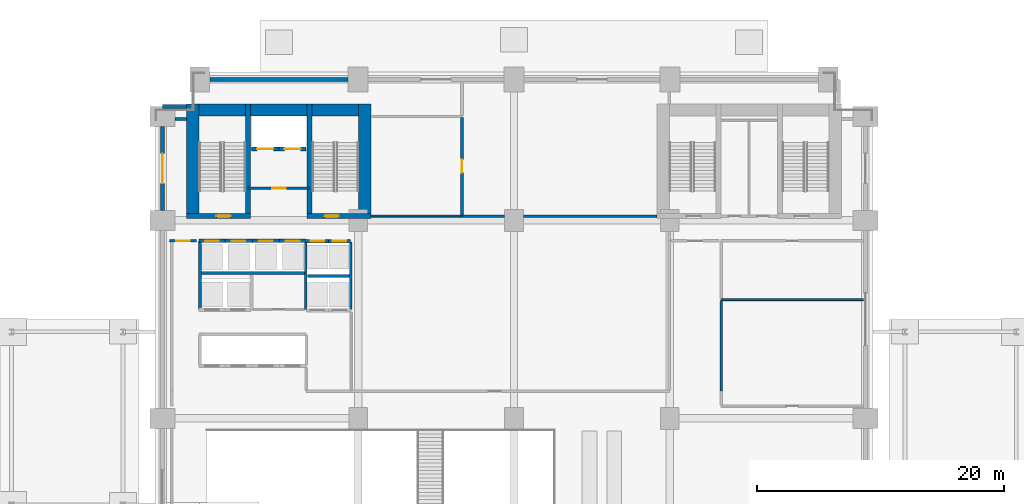
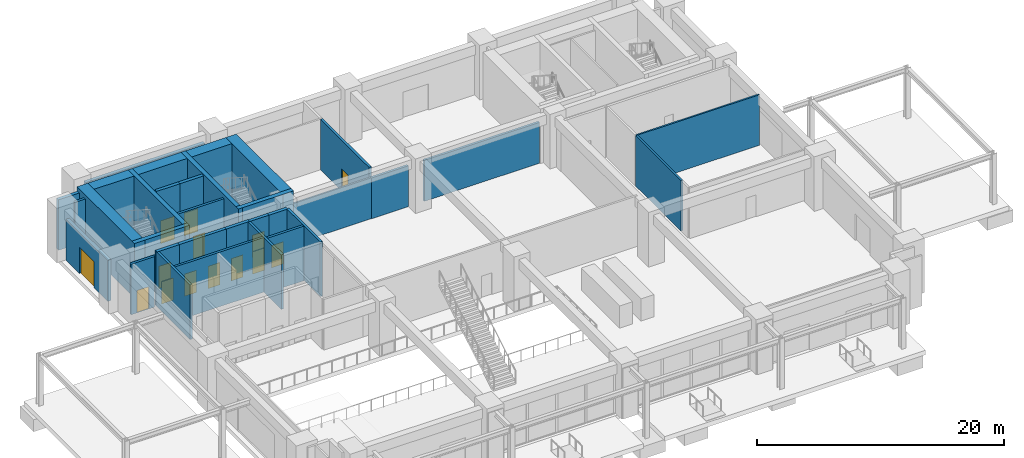
# One storey, part 6 of 14: 32 walls, 14 doors, 14 openings.
"""IFC4 building model written with IfcOpenShell, lengths in metres."""

from ifc_helpers import new_model, si_unit, direction, frame, frame_2d, origin, place, context, subcontext, project, spatial, rectangle, extrude, material, layer, layer_set, type_object, element, fill, save


model = new_model("IFC4")

# Units and contexts
model_context = context("Model", 3, precision=1e-05, world=origin(), true_north=direction((0.0, 1.0)))
body_context = subcontext(model_context, "Body", "Model", "MODEL_VIEW")
ifc_project = project(units=[si_unit("LENGTHUNIT", "METRE"), si_unit("AREAUNIT", "SQUARE_METRE"), si_unit("VOLUMEUNIT", "CUBIC_METRE"), si_unit("PLANEANGLEUNIT", "RADIAN"), si_unit("MASSUNIT", "GRAM", prefix="KILO")], contexts=[model_context])

# Site, building, storey
site_placement = place(None, origin())
site = spatial("IfcSite", under=ifc_project, at=site_placement, CompositionType="ELEMENT")
building_placement = place(site_placement, origin())
building = spatial("IfcBuilding", under=site, at=building_placement, Name="Sulina Concourse Tower", CompositionType="ELEMENT")
storey_placement = place(building_placement, origin())
storey = spatial("IfcBuildingStorey", under=building, at=storey_placement, Name="L00", CompositionType="ELEMENT", Elevation=0.0)

# Walls
ifc_material_1 = material(Name="Concrete C50/60", Category="concrete")
ifc_layer_1 = layer(ifc_material_1, 0.219970703125)
ifc_layer_set_1 = layer_set([ifc_layer_1], Name="Concrete C50/60")
wall_type_1 = type_object("IfcWallType", Name="Core Lift Hoistway Divider Wall 220mm", PredefinedType="SOLIDWALL", material=ifc_layer_set_1)
wall_1_placement = place(storey_placement, frame((3.550048828125, 29.75, 0.0), z_axis=(0.0, 0.0, 1.0), x_axis=(1.0, 0.0, 0.0)))
element("IfcWall", 1, at=wall_1_placement, inside=storey, type_object=wall_type_1, Name="L00 shaft divider wall HW-LP3-S", PredefinedType="SOLIDWALL", context=body_context, shape_type="SweptSolid", body=[
    extrude(rectangle(XDim=8.64990234375, YDim=0.219970703125, at=frame_2d((4.324951171875, 0.0))), origin(), (0.0, 0.0, 1.0), 5.39990234375),
])
wall_2_placement = place(storey_placement, frame((3.6298828125, 26.800048828125, 0.0), z_axis=(0.0, 0.0, 1.0), x_axis=(0.0, 1.0, 0.0)))
element("IfcWall", 2, at=wall_2_placement, inside=storey, type_object=wall_type_1, Name="L00 shaft divider wall HW-LP3-W", PredefinedType="SOLIDWALL", context=body_context, shape_type="SweptSolid", body=[
    extrude(rectangle(XDim=5.550048828125, YDim=0.219970703125, at=frame_2d((2.77490234375, 0.0))), origin(), (0.0, 0.0, 1.0), 5.39990234375),
])
for number, where, z_axis, x_axis, name in (
    (3, (12.179931640625, 26.800048828125, 0.0), (0.0, 0.0, 1.0), (0.0, 1.0, 0.0), "L00 shaft divider wall HW-LP2-W"),
    (4, (15.820068359375, 26.800048828125, 0.0), (0.0, 0.0, 1.0), (0.0, 1.0, 0.0), "L00 shaft divider wall HW-LP2-E"),
):
    element("IfcWall", number, at=place(storey_placement, frame(where, z_axis=z_axis, x_axis=x_axis)), inside=storey, type_object=wall_type_1, Name=name, PredefinedType="SOLIDWALL", context=body_context, shape_type="SweptSolid", body=[
        extrude(rectangle(XDim=5.449951171875, YDim=0.219970703125, at=frame_2d((2.72509765625, 0.0))), origin(), (0.0, 0.0, 1.0), 5.39990234375),
    ])
wall_3_placement = place(storey_placement, frame((12.300048828125, 29.52001953125, 0.0), z_axis=(0.0, 0.0, 1.0), x_axis=(1.0, 0.0, 0.0)))
element("IfcWall", 5, at=wall_3_placement, inside=storey, type_object=wall_type_1, Name="L00 shaft divider wall HW-LP2-M", PredefinedType="SOLIDWALL", context=body_context, shape_type="SweptSolid", body=[
    extrude(rectangle(XDim=3.39990234375, YDim=0.219970703125, at=frame_2d((1.699951171875, 0.0))), origin(), (0.0, 0.0, 1.0), 5.39990234375),
])

# Wall, opening, door
ifc_material_2 = material(Name="Concrete C50/60", Category="concrete")
ifc_layer_2 = layer(ifc_material_2, 0.300048828125)
ifc_layer_set_2 = layer_set([ifc_layer_2], Name="Concrete C50/60")
wall_type_2 = type_object("IfcWallType", Name="Core Lift Hoistway Wall 300mm", PredefinedType="SOLIDWALL", material=ifc_layer_set_2)
wall_4_placement = place(storey_placement, frame((12.219970703125, 32.320068359375, 0.0), z_axis=(0.0, 0.0, 1.0), x_axis=(1.0, 0.0, 0.0)))
wall_4 = element("IfcWall", 6, at=wall_4_placement, inside=storey, type_object=wall_type_2, Name="L00 hoistway enclosure wall LP-07", PredefinedType="SOLIDWALL", context=body_context, shape_type="SweptSolid", body=[
    extrude(rectangle(XDim=1.780029296875, YDim=0.300048828125, at=frame_2d((0.89013671875, 0.0))), origin(), (0.0, 0.0, 1.0), 5.39990234375),
])
opening_1_placement = place(wall_4_placement, frame((0.340087890625, 0.0, 0.0)))
opening_1 = element("IfcOpeningElement", 7, at=opening_1_placement, cuts=wall_4, Name="Opening LD-01", PredefinedType="OPENING", context=body_context, shape_type="SweptSolid", body=[
    extrude(rectangle(XDim=1.10009765625, YDim=2.199951171875, at=frame_2d((0.550048828125, 1.10009765625))), frame((0.0, 0.159912109375, 0.0), z_axis=(0.0, -1.0, 0.0), x_axis=(1.0, 0.0, 0.0)), (0.0, 0.0, 1.0), 0.320068359375),
])
ifc_material_3 = material(Name="Stainless steel lift landing door", Category="steel")
ifc_layer_3 = layer(ifc_material_3, 0.050048828125)
ifc_layer_set_3 = layer_set([ifc_layer_3], Name="Stainless steel lift landing door")
door_type_1 = type_object("IfcDoorType", Name="Passenger Lift Sliding Landing Door 1100x2200", OperationType="SLIDING_TO_LEFT", PredefinedType="DOOR", material=ifc_layer_set_3)
door_1_placement = place(opening_1_placement, origin())
door_1 = element("IfcDoor", 8, at=door_1_placement, inside=storey, type_object=door_type_1, Name="L00 lift landing sliding door LP-07", OperationType="SLIDING_TO_LEFT", OverallHeight=2.199951171875, OverallWidth=1.10009765625, PredefinedType="DOOR", context=body_context, shape_type="SweptSolid", body=[
    extrude(rectangle(XDim=1.10009765625, YDim=2.199951171875, at=frame_2d((0.550048828125, 1.10009765625))), frame((0.0, 0.02490234375, 0.0), z_axis=(0.0, -1.0, 0.0), x_axis=(1.0, 0.0, 0.0)), (0.0, 0.0, 1.0), 0.050048828125),
])
fill(opening_1, door_1)

wall_5_placement = place(storey_placement, frame((14.0, 32.320068359375, 0.0), z_axis=(0.0, 0.0, 1.0), x_axis=(1.0, 0.0, 0.0)))
wall_5 = element("IfcWall", 9, at=wall_5_placement, inside=storey, type_object=wall_type_2, Name="L00 hoistway enclosure wall LP-08", PredefinedType="SOLIDWALL", context=body_context, shape_type="SweptSolid", body=[
    extrude(rectangle(XDim=1.780029296875, YDim=0.300048828125, at=frame_2d((0.89013671875, 0.0))), origin(), (0.0, 0.0, 1.0), 5.39990234375),
])
opening_2_placement = place(wall_5_placement, frame((0.340087890625, 0.0, 0.0)))
opening_2 = element("IfcOpeningElement", 10, at=opening_2_placement, cuts=wall_5, Name="Opening LD-01", PredefinedType="OPENING", context=body_context, shape_type="SweptSolid", body=[
    extrude(rectangle(XDim=1.10009765625, YDim=2.199951171875, at=frame_2d((0.550048828125, 1.10009765625))), frame((0.0, 0.159912109375, 0.0), z_axis=(0.0, -1.0, 0.0), x_axis=(1.0, 0.0, 0.0)), (0.0, 0.0, 1.0), 0.320068359375),
])
door_2_placement = place(opening_2_placement, origin())
door_2 = element("IfcDoor", 11, at=door_2_placement, inside=storey, type_object=door_type_1, Name="L00 lift landing sliding door LP-08", OperationType="SLIDING_TO_RIGHT", OverallHeight=2.199951171875, OverallWidth=1.10009765625, PredefinedType="DOOR", context=body_context, shape_type="SweptSolid", body=[
    extrude(rectangle(XDim=1.10009765625, YDim=2.199951171875, at=frame_2d((0.550048828125, 1.10009765625))), frame((0.0, 0.02490234375, 0.0), z_axis=(0.0, -1.0, 0.0), x_axis=(1.0, 0.0, 0.0)), (0.0, 0.0, 1.0), 0.050048828125),
])
fill(opening_2, door_2)

wall_6_placement = place(storey_placement, frame((3.550048828125, 32.35009765625, 0.0), z_axis=(0.0, 0.0, 1.0), x_axis=(1.0, 0.0, 0.0)))
wall_6 = element("IfcWall", 12, at=wall_6_placement, inside=storey, type_object=wall_type_2, Name="L00 hoistway enclosure wall LP-09", PredefinedType="SOLIDWALL", context=body_context, shape_type="SweptSolid", body=[
    extrude(rectangle(XDim=2.099853515625, YDim=0.300048828125, at=frame_2d((1.0498046875, 0.0))), origin(), (0.0, 0.0, 1.0), 5.39990234375),
])
opening_3_placement = place(wall_6_placement, frame((0.5, 0.0, 0.0)))
opening_3 = element("IfcOpeningElement", 13, at=opening_3_placement, cuts=wall_6, Name="Opening LD-01", PredefinedType="OPENING", context=body_context, shape_type="SweptSolid", body=[
    extrude(rectangle(XDim=1.10009765625, YDim=2.199951171875, at=frame_2d((0.550048828125, 1.10009765625))), frame((0.0, 0.159912109375, 0.0), z_axis=(0.0, -1.0, 0.0), x_axis=(1.0, 0.0, 0.0)), (0.0, 0.0, 1.0), 0.320068359375),
])
door_3_placement = place(opening_3_placement, origin())
door_3 = element("IfcDoor", 14, at=door_3_placement, inside=storey, type_object=door_type_1, Name="L00 lift landing sliding door LP-09", OperationType="SLIDING_TO_LEFT", OverallHeight=2.199951171875, OverallWidth=1.10009765625, PredefinedType="DOOR", context=body_context, shape_type="SweptSolid", body=[
    extrude(rectangle(XDim=1.10009765625, YDim=2.199951171875, at=frame_2d((0.550048828125, 1.10009765625))), frame((0.0, 0.02490234375, 0.0), z_axis=(0.0, -1.0, 0.0), x_axis=(1.0, 0.0, 0.0)), (0.0, 0.0, 1.0), 0.050048828125),
])
fill(opening_3, door_3)

wall_7_placement = place(storey_placement, frame((5.64990234375, 32.35009765625, 0.0), z_axis=(0.0, 0.0, 1.0), x_axis=(1.0, 0.0, 0.0)))
wall_7 = element("IfcWall", 15, at=wall_7_placement, inside=storey, type_object=wall_type_2, Name="L00 hoistway enclosure wall LP-10", PredefinedType="SOLIDWALL", context=body_context, shape_type="SweptSolid", body=[
    extrude(rectangle(XDim=2.2001953125, YDim=0.300048828125, at=frame_2d((1.10009765625, 0.0))), origin(), (0.0, 0.0, 1.0), 5.39990234375),
])
opening_4_placement = place(wall_7_placement, frame((0.550048828125, 0.0, 0.0)))
opening_4 = element("IfcOpeningElement", 16, at=opening_4_placement, cuts=wall_7, Name="Opening LD-01", PredefinedType="OPENING", context=body_context, shape_type="SweptSolid", body=[
    extrude(rectangle(XDim=1.10009765625, YDim=2.199951171875, at=frame_2d((0.550048828125, 1.10009765625))), frame((0.0, 0.159912109375, 0.0), z_axis=(0.0, -1.0, 0.0), x_axis=(1.0, 0.0, 0.0)), (0.0, 0.0, 1.0), 0.320068359375),
])
door_4_placement = place(opening_4_placement, origin())
door_4 = element("IfcDoor", 17, at=door_4_placement, inside=storey, type_object=door_type_1, Name="L00 lift landing sliding door LP-10", OperationType="SLIDING_TO_RIGHT", OverallHeight=2.199951171875, OverallWidth=1.10009765625, PredefinedType="DOOR", context=body_context, shape_type="SweptSolid", body=[
    extrude(rectangle(XDim=1.10009765625, YDim=2.199951171875, at=frame_2d((0.550048828125, 1.10009765625))), frame((0.0, 0.02490234375, 0.0), z_axis=(0.0, -1.0, 0.0), x_axis=(1.0, 0.0, 0.0)), (0.0, 0.0, 1.0), 0.050048828125),
])
fill(opening_4, door_4)

wall_8_placement = place(storey_placement, frame((7.85009765625, 32.35009765625, 0.0), z_axis=(0.0, 0.0, 1.0), x_axis=(1.0, 0.0, 0.0)))
wall_8 = element("IfcWall", 18, at=wall_8_placement, inside=storey, type_object=wall_type_2, Name="L00 hoistway enclosure wall LP-11", PredefinedType="SOLIDWALL", context=body_context, shape_type="SweptSolid", body=[
    extrude(rectangle(XDim=2.199951171875, YDim=0.300048828125, at=frame_2d((1.10009765625, 0.0))), origin(), (0.0, 0.0, 1.0), 5.39990234375),
])
opening_5_placement = place(wall_8_placement, frame((0.550048828125, 0.0, 0.0)))
opening_5 = element("IfcOpeningElement", 19, at=opening_5_placement, cuts=wall_8, Name="Opening LD-01", PredefinedType="OPENING", context=body_context, shape_type="SweptSolid", body=[
    extrude(rectangle(XDim=1.10009765625, YDim=2.199951171875, at=frame_2d((0.550048828125, 1.10009765625))), frame((0.0, 0.159912109375, 0.0), z_axis=(0.0, -1.0, 0.0), x_axis=(1.0, 0.0, 0.0)), (0.0, 0.0, 1.0), 0.320068359375),
])
door_5_placement = place(opening_5_placement, origin())
door_5 = element("IfcDoor", 20, at=door_5_placement, inside=storey, type_object=door_type_1, Name="L00 lift landing sliding door LP-11", OperationType="SLIDING_TO_LEFT", OverallHeight=2.199951171875, OverallWidth=1.10009765625, PredefinedType="DOOR", context=body_context, shape_type="SweptSolid", body=[
    extrude(rectangle(XDim=1.10009765625, YDim=2.199951171875, at=frame_2d((0.550048828125, 1.10009765625))), frame((0.0, 0.02490234375, 0.0), z_axis=(0.0, -1.0, 0.0), x_axis=(1.0, 0.0, 0.0)), (0.0, 0.0, 1.0), 0.050048828125),
])
fill(opening_5, door_5)

wall_9_placement = place(storey_placement, frame((10.050048828125, 32.35009765625, 0.0), z_axis=(0.0, 0.0, 1.0), x_axis=(1.0, 0.0, 0.0)))
wall_9 = element("IfcWall", 21, at=wall_9_placement, inside=storey, type_object=wall_type_2, Name="L00 hoistway enclosure wall LP-12", PredefinedType="SOLIDWALL", context=body_context, shape_type="SweptSolid", body=[
    extrude(rectangle(XDim=2.14990234375, YDim=0.300048828125, at=frame_2d((1.074951171875, 0.0))), origin(), (0.0, 0.0, 1.0), 5.39990234375),
])
opening_6_placement = place(wall_9_placement, frame((0.52490234375, 0.0, 0.0)))
opening_6 = element("IfcOpeningElement", 22, at=opening_6_placement, cuts=wall_9, Name="Opening LD-01", PredefinedType="OPENING", context=body_context, shape_type="SweptSolid", body=[
    extrude(rectangle(XDim=1.10009765625, YDim=2.199951171875, at=frame_2d((0.550048828125, 1.10009765625))), frame((0.0, 0.159912109375, 0.0), z_axis=(0.0, -1.0, 0.0), x_axis=(1.0, 0.0, 0.0)), (0.0, 0.0, 1.0), 0.320068359375),
])
door_6_placement = place(opening_6_placement, origin())
door_6 = element("IfcDoor", 23, at=door_6_placement, inside=storey, type_object=door_type_1, Name="L00 lift landing sliding door LP-12", OperationType="SLIDING_TO_RIGHT", OverallHeight=2.199951171875, OverallWidth=1.10009765625, PredefinedType="DOOR", context=body_context, shape_type="SweptSolid", body=[
    extrude(rectangle(XDim=1.10009765625, YDim=2.199951171875, at=frame_2d((0.550048828125, 1.10009765625))), frame((0.0, 0.02490234375, 0.0), z_axis=(0.0, -1.0, 0.0), x_axis=(1.0, 0.0, 0.0)), (0.0, 0.0, 1.0), 0.050048828125),
])
fill(opening_6, door_6)

wall_10_placement = place(storey_placement, frame((10.0, 39.780029296875, 0.0), z_axis=(0.0, 0.0, 1.0), x_axis=(-1.0, 0.0, 0.0)))
wall_10 = element("IfcWall", 24, at=wall_10_placement, inside=storey, type_object=wall_type_2, Name="L00 hoistway enclosure wall FFL-1", PredefinedType="SOLIDWALL", context=body_context, shape_type="SweptSolid", body=[
    extrude(rectangle(XDim=2.199951171875, YDim=0.300048828125, at=frame_2d((1.10009765625, 0.0))), origin(), (0.0, 0.0, 1.0), 5.39990234375),
])
opening_7_placement = place(wall_10_placement, frame((0.449951171875, 0.0, 0.0)))
opening_7 = element("IfcOpeningElement", 25, at=opening_7_placement, cuts=wall_10, Name="Opening LD-02", PredefinedType="OPENING", context=body_context, shape_type="SweptSolid", body=[
    extrude(rectangle(XDim=1.300048828125, YDim=2.25, at=frame_2d((0.64990234375, 1.125))), frame((0.0, 0.159912109375, 0.0), z_axis=(0.0, -1.0, 0.0), x_axis=(1.0, 0.0, 0.0)), (0.0, 0.0, 1.0), 0.320068359375),
])
ifc_material_4 = material(Name="Stainless steel lift landing door", Category="steel")
ifc_layer_4 = layer(ifc_material_4, 0.050048828125)
ifc_layer_set_4 = layer_set([ifc_layer_4], Name="Stainless steel lift landing door")
door_type_2 = type_object("IfcDoorType", Name="Firefighting Lift Sliding Landing Door 1300x2250", OperationType="SLIDING_TO_RIGHT", PredefinedType="DOOR", material=ifc_layer_set_4)
door_7_placement = place(opening_7_placement, origin())
door_7 = element("IfcDoor", 26, at=door_7_placement, inside=storey, type_object=door_type_2, Name="L00 lift landing sliding door FFL-1", OperationType="SLIDING_TO_LEFT", OverallHeight=2.25, OverallWidth=1.300048828125, PredefinedType="DOOR", context=body_context, shape_type="SweptSolid", body=[
    extrude(rectangle(XDim=1.300048828125, YDim=2.25, at=frame_2d((0.64990234375, 1.125))), frame((0.0, 0.02490234375, 0.0), z_axis=(0.0, -1.0, 0.0), x_axis=(1.0, 0.0, 0.0)), (0.0, 0.0, 1.0), 0.050048828125),
])
fill(opening_7, door_7)

wall_11_placement = place(storey_placement, frame((12.199951171875, 39.780029296875, 0.0), z_axis=(0.0, 0.0, 1.0), x_axis=(-1.0, 0.0, 0.0)))
wall_11 = element("IfcWall", 27, at=wall_11_placement, inside=storey, type_object=wall_type_2, Name="L00 hoistway enclosure wall FFL-2", PredefinedType="SOLIDWALL", context=body_context, shape_type="SweptSolid", body=[
    extrude(rectangle(XDim=2.199951171875, YDim=0.300048828125, at=frame_2d((1.10009765625, 0.0))), origin(), (0.0, 0.0, 1.0), 5.39990234375),
])
opening_8_placement = place(wall_11_placement, frame((0.449951171875, 0.0, 0.0)))
opening_8 = element("IfcOpeningElement", 28, at=opening_8_placement, cuts=wall_11, Name="Opening LD-02", PredefinedType="OPENING", context=body_context, shape_type="SweptSolid", body=[
    extrude(rectangle(XDim=1.300048828125, YDim=2.25, at=frame_2d((0.64990234375, 1.125))), frame((0.0, 0.159912109375, 0.0), z_axis=(0.0, -1.0, 0.0), x_axis=(1.0, 0.0, 0.0)), (0.0, 0.0, 1.0), 0.320068359375),
])
door_8_placement = place(opening_8_placement, origin())
door_8 = element("IfcDoor", 29, at=door_8_placement, inside=storey, type_object=door_type_2, Name="L00 lift landing sliding door FFL-2", OperationType="SLIDING_TO_RIGHT", OverallHeight=2.25, OverallWidth=1.300048828125, PredefinedType="DOOR", context=body_context, shape_type="SweptSolid", body=[
    extrude(rectangle(XDim=1.300048828125, YDim=2.25, at=frame_2d((0.64990234375, 1.125))), frame((0.0, 0.02490234375, 0.0), z_axis=(0.0, -1.0, 0.0), x_axis=(1.0, 0.0, 0.0)), (0.0, 0.0, 1.0), 0.050048828125),
])
fill(opening_8, door_8)

ifc_material_5 = material(Name="Gypsum board on steel stud", Category="steel")
ifc_layer_5 = layer(ifc_material_5, 0.219970703125)
ifc_layer_set_5 = layer_set([ifc_layer_5], Name="Gypsum board on steel stud")
wall_type_3 = type_object("IfcWallType", Name="Fire-Rated Lobby & Compartment Wall 220mm", PredefinedType="PARTITIONING", material=ifc_layer_set_5)
wall_12_placement = place(storey_placement, frame((1.14990234375, 32.35009765625, 0.0), z_axis=(0.0, 0.0, 1.0), x_axis=(1.0, 0.0, 0.0)))
wall_12 = element("IfcWall", 30, at=wall_12_placement, inside=storey, type_object=wall_type_3, Name="L00 exit passage fire wall EXPW", PredefinedType="PARTITIONING", context=body_context, shape_type="SweptSolid", body=[
    extrude(rectangle(XDim=2.2001953125, YDim=0.219970703125, at=frame_2d((1.10009765625, 0.0))), origin(), (0.0, 0.0, 1.0), 5.0),
])
opening_9_placement = place(wall_12_placement, frame((0.550048828125, 0.0, 0.0)))
opening_9 = element("IfcOpeningElement", 31, at=opening_9_placement, cuts=wall_12, Name="Opening DR-47", PredefinedType="OPENING", context=body_context, shape_type="SweptSolid", body=[
    extrude(rectangle(XDim=1.10009765625, YDim=2.199951171875, at=frame_2d((0.550048828125, 1.10009765625))), frame((0.0, 0.119873046875, 0.0), z_axis=(0.0, -1.0, 0.0), x_axis=(1.0, 0.0, 0.0)), (0.0, 0.0, 1.0), 0.239990234375),
])
ifc_material_6 = material(Name="Galvanised steel acoustic fire leaf", Category="steel")
ifc_layer_6 = layer(ifc_material_6, 0.054931640625)
ifc_layer_set_6 = layer_set([ifc_layer_6], Name="Galvanised steel acoustic fire leaf")
door_type_3 = type_object("IfcDoorType", Name="Firefighting Lobby Fire Door 1100x2200", OperationType="NOTDEFINED", PredefinedType="DOOR", material=ifc_layer_set_6)
door_9_placement = place(opening_9_placement, origin())
door_9 = element("IfcDoor", 32, at=door_9_placement, inside=storey, type_object=door_type_3, Name="L00 exit passage fire door EXPW", OperationType="SINGLE_SWING_LEFT", OverallHeight=2.199951171875, OverallWidth=1.10009765625, PredefinedType="DOOR", context=body_context, shape_type="SweptSolid", body=[
    extrude(rectangle(XDim=1.10009765625, YDim=2.199951171875, at=frame_2d((0.550048828125, 1.10009765625))), frame((0.0, 0.02490234375, 0.0), z_axis=(0.0, -1.0, 0.0), x_axis=(1.0, 0.0, 0.0)), (0.0, 0.0, 1.0), 0.050048828125),
])
fill(opening_9, door_9)

wall_13_placement = place(storey_placement, frame((7.510009765625, 36.60009765625, 0.0), z_axis=(0.0, 0.0, 1.0), x_axis=(1.0, 0.0, 0.0)))
wall_13 = element("IfcWall", 33, at=wall_13_placement, inside=storey, type_object=wall_type_3, Name="L00 firefighting lobby south fire wall", PredefinedType="PARTITIONING", context=body_context, shape_type="SweptSolid", body=[
    extrude(rectangle(XDim=4.97998046875, YDim=0.219970703125, at=frame_2d((2.489990234375, 0.0))), origin(), (0.0, 0.0, 1.0), 5.0),
])
opening_10_placement = place(wall_13_placement, frame((1.93994140625, 0.0, 0.0)))
opening_10 = element("IfcOpeningElement", 34, at=opening_10_placement, cuts=wall_13, Name="Opening DR-47", PredefinedType="OPENING", context=body_context, shape_type="SweptSolid", body=[
    extrude(rectangle(XDim=1.10009765625, YDim=2.199951171875, at=frame_2d((0.550048828125, 1.10009765625))), frame((0.0, 0.119873046875, 0.0), z_axis=(0.0, -1.0, 0.0), x_axis=(1.0, 0.0, 0.0)), (0.0, 0.0, 1.0), 0.239990234375),
])
door_10_placement = place(opening_10_placement, origin())
door_10 = element("IfcDoor", 35, at=door_10_placement, inside=storey, type_object=door_type_3, Name="L00 firefighting lobby fire door", OperationType="SINGLE_SWING_LEFT", OverallHeight=2.199951171875, OverallWidth=1.10009765625, PredefinedType="DOOR", context=body_context, shape_type="SweptSolid", body=[
    extrude(rectangle(XDim=1.10009765625, YDim=2.199951171875, at=frame_2d((0.550048828125, 1.10009765625))), frame((0.0, 0.02490234375, 0.0), z_axis=(0.0, -1.0, 0.0), x_axis=(1.0, 0.0, 0.0)), (0.0, 0.0, 1.0), 0.050048828125),
])
fill(opening_10, door_10)

# Walls
wall_14_placement = place(storey_placement, frame((24.800048828125, 34.35009765625, 0.0), z_axis=(0.0, 0.0, 1.0), x_axis=(1.0, 0.0, 0.0)))
element("IfcWall", 36, at=wall_14_placement, inside=storey, type_object=wall_type_3, Name="L00 interior partition 010", PredefinedType="PARTITIONING", context=body_context, shape_type="SweptSolid", body=[
    extrude(rectangle(XDim=3.449951171875, YDim=0.219970703125, at=frame_2d((1.72509765625, 0.0))), origin(), (0.0, 0.0, 1.0), 4.044921875),
])
wall_15_placement = place(storey_placement, frame((29.75, 34.35009765625, 0.0), z_axis=(0.0, 0.0, 1.0), x_axis=(1.0, 0.0, 0.0)))
element("IfcWall", 37, at=wall_15_placement, inside=storey, type_object=wall_type_3, Name="L00 interior partition 011", PredefinedType="PARTITIONING", context=body_context, shape_type="SweptSolid", body=[
    extrude(rectangle(XDim=10.800048828125, YDim=0.219970703125, at=frame_2d((5.39990234375, 0.0))), origin(), (0.0, 0.0, 1.0), 4.044921875),
])
wall_16_placement = place(storey_placement, frame((1.60009765625, 42.199951171875, 0.0), z_axis=(0.0, 0.0, 1.0), x_axis=(1.0, 0.0, 0.0)))
element("IfcWall", 38, at=wall_16_placement, inside=storey, type_object=wall_type_3, Name="L00 interior partition 014", PredefinedType="PARTITIONING", context=body_context, shape_type="SweptSolid", body=[
    extrude(rectangle(XDim=0.949951171875, YDim=0.219970703125, at=frame_2d((0.47509765625, 0.0))), origin(), (0.0, 0.0, 1.0), 5.0),
])

# Wall, opening, door
wall_17_placement = place(storey_placement, frame((24.800048828125, 34.4599609375, 0.0), z_axis=(0.0, 0.0, 1.0), x_axis=(0.0, 1.0, 0.0)))
wall_17 = element("IfcWall", 39, at=wall_17_placement, inside=storey, type_object=wall_type_3, Name="L00 interior partition 024", PredefinedType="PARTITIONING", context=body_context, shape_type="SweptSolid", body=[
    extrude(rectangle(XDim=7.864990234375, YDim=0.219970703125, at=frame_2d((3.9326171875, 0.0))), origin(), (0.0, 0.0, 1.0), 5.0),
])
opening_11_placement = place(wall_17_placement, frame((3.407470703125, 0.0, 0.0)))
opening_11 = element("IfcOpeningElement", 40, at=opening_11_placement, cuts=wall_17, Name="Opening DR-37", PredefinedType="OPENING", context=body_context, shape_type="SweptSolid", body=[
    extrude(rectangle(XDim=1.050048828125, YDim=2.14990234375, at=frame_2d((0.52490234375, 1.074951171875))), frame((0.0, 0.119873046875, 0.0), z_axis=(0.0, -1.0, 0.0), x_axis=(1.0, 0.0, 0.0)), (0.0, 0.0, 1.0), 0.239990234375),
])
ifc_material_7 = material(Name="Oak-veneered fire door leaf")
ifc_layer_7 = layer(ifc_material_7, 0.050048828125)
ifc_layer_set_7 = layer_set([ifc_layer_7], Name="Oak-veneered fire door leaf")
door_type_4 = type_object("IfcDoorType", Name="Tenant Suite Entrance Fire Door 1050x2150", OperationType="NOTDEFINED", PredefinedType="DOOR", material=ifc_layer_set_7)
door_11_placement = place(opening_11_placement, origin())
door_11 = element("IfcDoor", 41, at=door_11_placement, inside=storey, type_object=door_type_4, Name="L00 interior door L00-FCC", OperationType="SINGLE_SWING_LEFT", OverallHeight=2.14990234375, OverallWidth=1.050048828125, PredefinedType="DOOR", context=body_context, shape_type="SweptSolid", body=[
    extrude(rectangle(XDim=1.050048828125, YDim=2.14990234375, at=frame_2d((0.52490234375, 1.074951171875))), frame((0.0, 0.02490234375, 0.0), z_axis=(0.0, -1.0, 0.0), x_axis=(1.0, 0.0, 0.0)), (0.0, 0.0, 1.0), 0.050048828125),
])
fill(opening_11, door_11)

# Walls
ifc_material_8 = material(Name="Gypsum board on steel stud", Category="steel")
ifc_layer_8 = layer(ifc_material_8, 0.14990234375)
ifc_layer_set_8 = layer_set([ifc_layer_8], Name="Gypsum board on steel stud")
wall_type_4 = type_object("IfcWallType", Name="Inter-Tenancy Acoustic Partition 150mm", PredefinedType="PARTITIONING", material=ifc_layer_set_8)
wall_18_placement = place(storey_placement, frame((45.75, 27.60009765625, 0.0), z_axis=(0.0, 0.0, 1.0), x_axis=(1.0, 0.0, 0.0)))
element("IfcWall", 42, at=wall_18_placement, inside=storey, type_object=wall_type_4, Name="L00 interior partition 007", PredefinedType="PARTITIONING", context=body_context, shape_type="SweptSolid", body=[
    extrude(rectangle(XDim=11.489990234375, YDim=0.14990234375, at=frame_2d((5.7451171875, 0.0))), origin(), (0.0, 0.0, 1.0), 5.0),
])
wall_19_placement = place(storey_placement, frame((17.449951171875, 34.35009765625, 0.0), z_axis=(0.0, 0.0, 1.0), x_axis=(1.0, 0.0, 0.0)))
element("IfcWall", 43, at=wall_19_placement, inside=storey, type_object=wall_type_4, Name="L00 interior partition 009", PredefinedType="PARTITIONING", context=body_context, shape_type="SweptSolid", body=[
    extrude(rectangle(XDim=7.35009765625, YDim=0.14990234375, at=frame_2d((3.675048828125, 0.0))), origin(), (0.0, 0.0, 1.0), 4.044921875),
])

# Wall, opening, door
ifc_material_9 = material(Name="Precast concrete C50/60", Category="concrete")
ifc_layer_9 = layer(ifc_material_9, 0.320068359375)
ifc_layer_set_9 = layer_set([ifc_layer_9], Name="Precast concrete C50/60")
wall_type_5 = type_object("IfcWallType", Name="Lower Precast Masonry-Frame Facade Wall 320mm", PredefinedType="SOLIDWALL", material=ifc_layer_set_9)
wall_20_placement = place(storey_placement, frame((0.60009765625, 34.820068359375, 0.0), z_axis=(0.0, 0.0, 1.0), x_axis=(0.0, 1.0, 0.0)))
wall_20 = element("IfcWall", 44, at=wall_20_placement, inside=storey, type_object=wall_type_5, Name="L00 exterior precast wall W3", PredefinedType="SOLIDWALL", context=body_context, shape_type="SweptSolid", body=[
    extrude(rectangle(XDim=6.760009765625, YDim=0.320068359375, at=frame_2d((3.3798828125, 0.0))), origin(), (0.0, 0.0, 1.0), 4.050048828125),
])
opening_12_placement = place(wall_20_placement, frame((2.179931640625, 0.0, 0.0)))
opening_12 = element("IfcOpeningElement", 45, at=opening_12_placement, cuts=wall_20, Name="Opening DR-71", PredefinedType="OPENING", context=body_context, shape_type="SweptSolid", body=[
    extrude(rectangle(XDim=2.39990234375, YDim=2.60009765625, at=frame_2d((1.199951171875, 1.300048828125))), frame((0.0, 0.169921875, 0.0), z_axis=(0.0, -1.0, 0.0), x_axis=(1.0, 0.0, 0.0)), (0.0, 0.0, 1.0), 0.340087890625),
])
ifc_material_10 = material(Name="Anodised bronze aluminium and glazed leaf", Category="aluminium")
ifc_layer_10 = layer(ifc_material_10, 0.06005859375)
ifc_layer_set_10 = layer_set([ifc_layer_10], Name="Anodised bronze aluminium and glazed leaf")
door_type_5 = type_object("IfcDoorType", Name="Station Concourse Entrance Door 2400x2600", OperationType="DOUBLE_DOOR_SINGLE_SWING", PredefinedType="DOOR", material=ifc_layer_set_10)
door_12_placement = place(opening_12_placement, origin())
door_12 = element("IfcDoor", 46, at=door_12_placement, inside=storey, type_object=door_type_5, Name="L00 exterior door ED-08", OperationType="DOUBLE_DOOR_SINGLE_SWING", OverallHeight=2.60009765625, OverallWidth=2.39990234375, PredefinedType="DOOR", context=body_context, shape_type="SweptSolid", body=[
    extrude(rectangle(XDim=2.39990234375, YDim=2.60009765625, at=frame_2d((1.199951171875, 1.300048828125))), frame((0.0, 0.02490234375, 0.0), z_axis=(0.0, -1.0, 0.0), x_axis=(1.0, 0.0, 0.0)), (0.0, 0.0, 1.0), 0.050048828125),
])
fill(opening_12, door_12)

# Walls
wall_21_placement = place(storey_placement, frame((4.419921875, 45.39990234375, 0.0), z_axis=(0.0, 0.0, 1.0), x_axis=(1.0, 0.0, 0.0)))
element("IfcWall", 47, at=wall_21_placement, inside=storey, type_object=wall_type_5, Name="L00 exterior precast wall N1", PredefinedType="SOLIDWALL", context=body_context, shape_type="SweptSolid", body=[
    extrude(rectangle(XDim=11.16015625, YDim=0.320068359375, at=frame_2d((5.580078125, 0.0))), origin(), (0.0, 0.0, 1.0), 4.050048828125),
])
wall_22_placement = place(storey_placement, frame((0.60009765625, 43.219970703125, 0.0), z_axis=(0.0, 0.0, 1.0), x_axis=(1.0, 0.0, 0.0)))
element("IfcWall", 48, at=wall_22_placement, inside=storey, type_object=wall_type_5, Name="L00 exterior precast wall CNW1", PredefinedType="SOLIDWALL", context=body_context, shape_type="SweptSolid", body=[
    extrude(rectangle(XDim=1.94482421875, YDim=0.320068359375, at=frame_2d((0.972412109375, 0.0))), origin(), (0.0, 0.0, 1.0), 5.0),
])
ifc_material_11 = material(Name="Gypsum board on steel stud", Category="steel")
ifc_layer_11 = layer(ifc_material_11, 0.179931640625)
ifc_layer_set_11 = layer_set([ifc_layer_11], Name="Gypsum board on steel stud")
wall_type_6 = type_object("IfcWallType", Name="Protected Corridor & Riser Partition 180mm", PredefinedType="PARTITIONING", material=ifc_layer_set_11)
wall_23_placement = place(storey_placement, frame((45.75, 20.199951171875, 0.0), z_axis=(0.0, 0.0, 1.0), x_axis=(0.0, 1.0, 0.0)))
element("IfcWall", 49, at=wall_23_placement, inside=storey, type_object=wall_type_6, Name="L00 interior partition 030", PredefinedType="PARTITIONING", context=body_context, shape_type="SweptSolid", body=[
    extrude(rectangle(XDim=7.324951171875, YDim=0.179931640625, at=frame_2d((3.66259765625, 0.0))), origin(), (0.0, 0.0, 1.0), 5.0),
])

# Wall, opening, door
ifc_material_12 = material(Name="Concrete C60/75", Category="concrete")
ifc_layer_12 = layer(ifc_material_12, 0.39990234375)
ifc_layer_set_12 = layer_set([ifc_layer_12], Name="Concrete C60/75")
wall_type_7 = type_object("IfcWallType", Name="Protected Stair Core Shear Wall 400mm", PredefinedType="SHEAR", material=ifc_layer_set_12)
wall_24_placement = place(storey_placement, frame((2.550048828125, 34.35009765625, 0.0), z_axis=(0.0, 0.0, 1.0), x_axis=(1.0, 0.0, 0.0)))
wall_24 = element("IfcWall", 50, at=wall_24_placement, inside=storey, type_object=wall_type_7, Name="L00 west core shear wall CW-WS1", PredefinedType="SHEAR", context=body_context, shape_type="SweptSolid", body=[
    extrude(rectangle(XDim=5.159912109375, YDim=0.39990234375, at=frame_2d((2.580078125, 0.0))), origin(), (0.0, 0.0, 1.0), 5.39990234375),
])
opening_13_placement = place(wall_24_placement, frame((2.39990234375, 0.0, 0.0)))
opening_13 = element("IfcOpeningElement", 51, at=opening_13_placement, cuts=wall_24, Name="Opening DR-60", PredefinedType="OPENING", context=body_context, shape_type="SweptSolid", body=[
    extrude(rectangle(XDim=1.14990234375, YDim=2.199951171875, at=frame_2d((0.574951171875, 1.10009765625))), frame((0.0, 0.2099609375, 0.0), z_axis=(0.0, -1.0, 0.0), x_axis=(1.0, 0.0, 0.0)), (0.0, 0.0, 1.0), 0.419921875),
])
ifc_material_13 = material(Name="Galvanised steel acoustic fire leaf", Category="steel")
ifc_layer_13 = layer(ifc_material_13, 0.054931640625)
ifc_layer_set_13 = layer_set([ifc_layer_13], Name="Galvanised steel acoustic fire leaf")
door_type_6 = type_object("IfcDoorType", Name="Protected Exit Stair Fire Door 1150x2200", OperationType="NOTDEFINED", PredefinedType="DOOR", material=ifc_layer_set_13)
door_13_placement = place(opening_13_placement, origin())
door_13 = element("IfcDoor", 52, at=door_13_placement, inside=storey, type_object=door_type_6, Name="L00 stair ST-1 lobby fire door", OperationType="SINGLE_SWING_LEFT", OverallHeight=2.199951171875, OverallWidth=1.14990234375, PredefinedType="DOOR", context=body_context, shape_type="SweptSolid", body=[
    extrude(rectangle(XDim=1.14990234375, YDim=2.199951171875, at=frame_2d((0.574951171875, 1.10009765625))), frame((0.0, 0.02490234375, 0.0), z_axis=(0.0, -1.0, 0.0), x_axis=(1.0, 0.0, 0.0)), (0.0, 0.0, 1.0), 0.050048828125),
])
fill(opening_13, door_13)

wall_25_placement = place(storey_placement, frame((12.2900390625, 34.35009765625, 0.0), z_axis=(0.0, 0.0, 1.0), x_axis=(1.0, 0.0, 0.0)))
wall_25 = element("IfcWall", 53, at=wall_25_placement, inside=storey, type_object=wall_type_7, Name="L00 west core shear wall CW-WS2", PredefinedType="SHEAR", context=body_context, shape_type="SweptSolid", body=[
    extrude(rectangle(XDim=5.159912109375, YDim=0.39990234375, at=frame_2d((2.580078125, 0.0))), origin(), (0.0, 0.0, 1.0), 5.39990234375),
])
opening_14_placement = place(wall_25_placement, frame((1.39990234375, 0.0, 0.0)))
opening_14 = element("IfcOpeningElement", 54, at=opening_14_placement, cuts=wall_25, Name="Opening DR-60", PredefinedType="OPENING", context=body_context, shape_type="SweptSolid", body=[
    extrude(rectangle(XDim=1.14990234375, YDim=2.199951171875, at=frame_2d((0.574951171875, 1.10009765625))), frame((0.0, 0.2099609375, 0.0), z_axis=(0.0, -1.0, 0.0), x_axis=(1.0, 0.0, 0.0)), (0.0, 0.0, 1.0), 0.419921875),
])
door_14_placement = place(opening_14_placement, origin())
door_14 = element("IfcDoor", 55, at=door_14_placement, inside=storey, type_object=door_type_6, Name="L00 stair ST-2 lobby fire door", OperationType="SINGLE_SWING_RIGHT", OverallHeight=2.199951171875, OverallWidth=1.14990234375, PredefinedType="DOOR", context=body_context, shape_type="SweptSolid", body=[
    extrude(rectangle(XDim=1.14990234375, YDim=2.199951171875, at=frame_2d((0.574951171875, 1.10009765625))), frame((0.0, 0.02490234375, 0.0), z_axis=(0.0, -1.0, 0.0), x_axis=(1.0, 0.0, 0.0)), (0.0, 0.0, 1.0), 0.050048828125),
])
fill(opening_14, door_14)

# Walls
for number, where, z_axis, x_axis, name in (
    (56, (7.510009765625, 34.14990234375, 0.0), (0.0, 0.0, 1.0), (0.0, 1.0, 0.0), "L00 west core shear wall SW-ST1"),
    (57, (12.489990234375, 34.14990234375, 0.0), (0.0, 0.0, 1.0), (0.0, 1.0, 0.0), "L00 west core shear wall SW-ST2"),
):
    element("IfcWall", number, at=place(storey_placement, frame(where, z_axis=z_axis, x_axis=x_axis)), inside=storey, type_object=wall_type_7, Name=name, PredefinedType="SHEAR", context=body_context, shape_type="SweptSolid", body=[
        extrude(rectangle(XDim=9.280029296875, YDim=0.39990234375, at=frame_2d((4.64013671875, 0.0))), origin(), (0.0, 0.0, 1.0), 5.39990234375),
    ])
ifc_material_14 = material(Name="Concrete C80/95", Category="concrete")
ifc_layer_14 = layer(ifc_material_14, 1.0)
ifc_layer_set_14 = layer_set([ifc_layer_14], Name="Concrete C80/95")
wall_type_8 = type_object("IfcWallType", Name="Rear Core Shear Wall 1000mm", PredefinedType="SHEAR", material=ifc_layer_set_14)
wall_26_placement = place(storey_placement, frame((2.550048828125, 42.929931640625, 0.0), z_axis=(0.0, 0.0, 1.0), x_axis=(1.0, 0.0, 0.0)))
element("IfcWall", 58, at=wall_26_placement, inside=storey, type_object=wall_type_8, Name="L00 west core shear wall CW-WN", PredefinedType="SHEAR", context=body_context, shape_type="SweptSolid", body=[
    extrude(rectangle(XDim=14.89990234375, YDim=1.0, at=frame_2d((7.449951171875, 0.0))), origin(), (0.0, 0.0, 1.0), 5.39990234375),
])
for number, where, z_axis, x_axis, name in (
    (59, (3.050048828125, 34.14990234375, 0.0), (0.0, 0.0, 1.0), (0.0, 1.0, 0.0), "L00 west core shear wall CW-WW"),
    (60, (16.949951171875, 34.14990234375, 0.0), (0.0, 0.0, 1.0), (0.0, 1.0, 0.0), "L00 west core shear wall CW-WE"),
):
    element("IfcWall", number, at=place(storey_placement, frame(where, z_axis=z_axis, x_axis=x_axis)), inside=storey, type_object=wall_type_8, Name=name, PredefinedType="SHEAR", context=body_context, shape_type="SweptSolid", body=[
        extrude(rectangle(XDim=9.280029296875, YDim=1.0, at=frame_2d((4.64013671875, 0.0))), origin(), (0.0, 0.0, 1.0), 5.39990234375),
    ])

save(model, "model.ifc")
